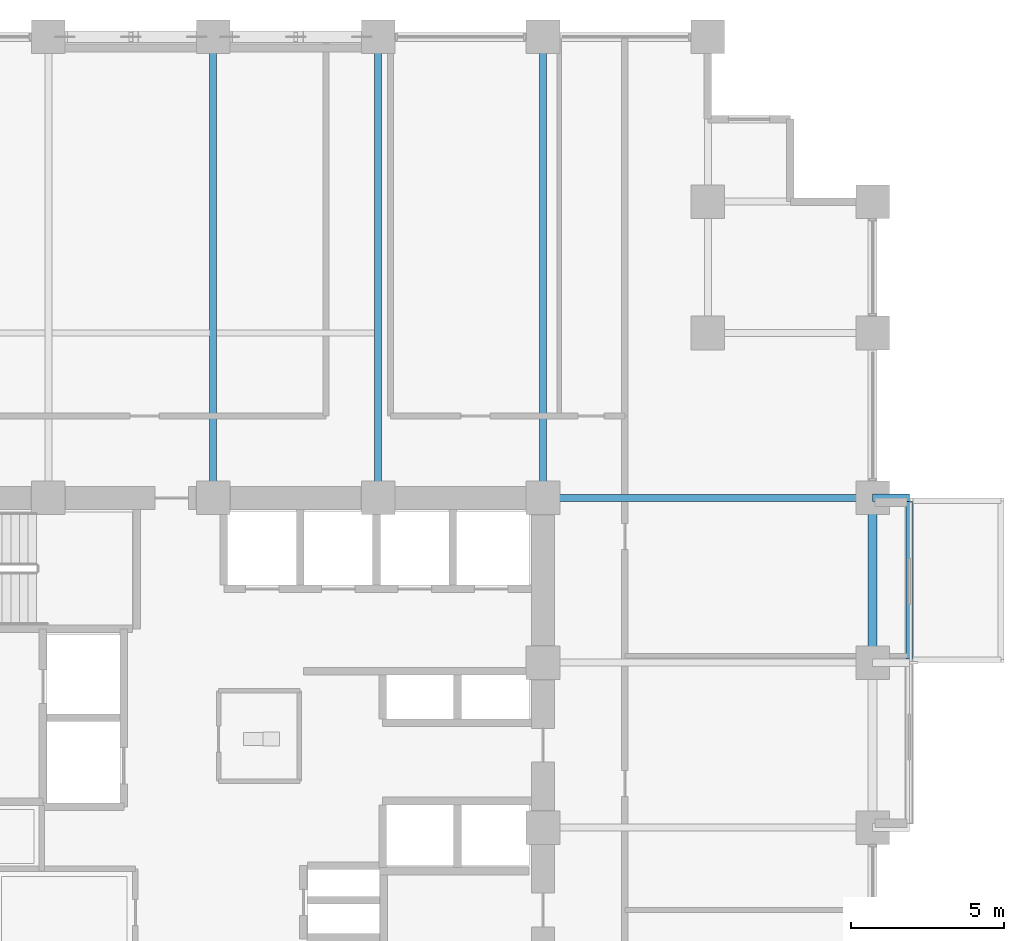
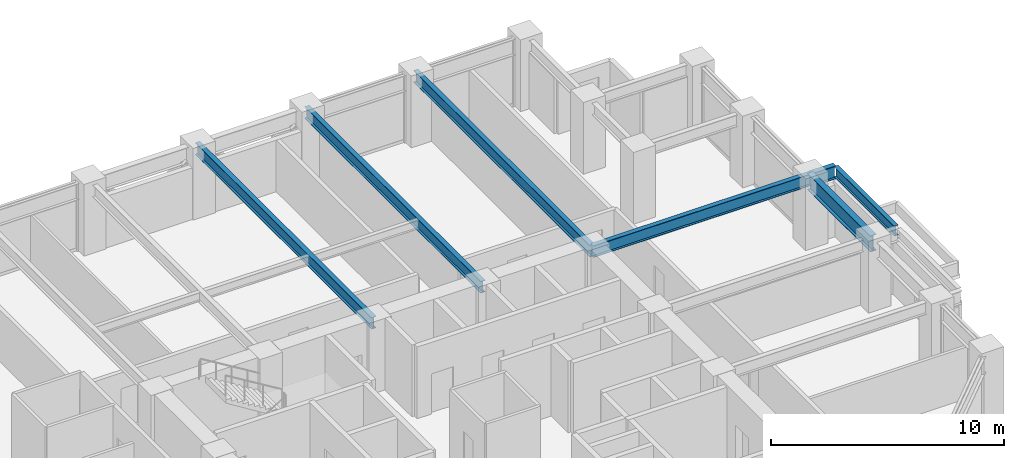
# One storey, part 13 of 25: 7 beams.
"""IFC4 building model written with IfcOpenShell, lengths in metres."""

from ifc_helpers import new_model, si_unit, direction, frame, origin, origin_2d, place, context, subcontext, project, spatial, i_section, extrude, material, material_profile, profile_set, type_object, element, save


model = new_model("IFC4")

# Units and contexts
model_context = context("Model", 3, precision=1e-05, world=origin(), true_north=direction((0.0, 1.0)))
body_context = subcontext(model_context, "Body", "Model", "MODEL_VIEW")
ifc_project = project(units=[si_unit("LENGTHUNIT", "METRE"), si_unit("AREAUNIT", "SQUARE_METRE"), si_unit("VOLUMEUNIT", "CUBIC_METRE"), si_unit("PLANEANGLEUNIT", "RADIAN"), si_unit("MASSUNIT", "GRAM", prefix="KILO")], contexts=[model_context])

# Site, building, storey
site_placement = place(None, origin())
site = spatial("IfcSite", under=ifc_project, at=site_placement, CompositionType="ELEMENT")
building_placement = place(site_placement, origin())
building = spatial("IfcBuilding", under=site, at=building_placement, Name="Surkhivell Harbour Commons", CompositionType="ELEMENT")
storey_placement = place(building_placement, frame((0.0, 0.0, 94.5)))
storey = spatial("IfcBuildingStorey", under=building, at=storey_placement, Name="L24", CompositionType="ELEMENT", Elevation=94.5)

# Beams
ifc_material_1 = material(Name="Steel S460", Category="steel")
ifc_material_profile_1 = material_profile(ifc_material_1, i_section(OverallWidth=0.256103515625, OverallDepth=0.693115234375, WebThickness=0.014404296875, FlangeThickness=0.023681640625, at=origin_2d()), Name="UB686x254x170")
ifc_profile_set_1 = profile_set([ifc_material_profile_1], Name="Steel S460")
beam_type_1 = type_object("IfcBeamType", Name="BM-CNT-686", PredefinedType="BEAM", material=ifc_profile_set_1)
beam_1_placement = place(storey_placement, frame((21.60009765625, 10.800048828125, 3.223388671875), z_axis=(1.0, 0.0, 0.0), x_axis=(0.0, 1.0, 0.0)))
element("IfcBeam", 1, at=beam_1_placement, inside=storey, type_object=beam_type_1, Name="L24 Box Cantilever Outrigger (21.6,10.8)", PredefinedType="BEAM", context=body_context, shape_type="SweptSolid", body=[
    extrude(i_section(OverallWidth=0.256103515625, OverallDepth=0.693115234375, WebThickness=0.014404296875, FlangeThickness=0.023681640625, at=origin_2d()), origin(), (0.0, 0.0, 1.0), 1.199951171875),
])
ifc_material_2 = material(Name="Steel S355", Category="steel")
ifc_material_profile_2 = material_profile(ifc_material_2, i_section(OverallWidth=0.2099609375, OverallDepth=0.537109375, WebThickness=0.0107421875, FlangeThickness=0.017333984375, at=origin_2d()), Name="UB533x210x101")
ifc_profile_set_2 = profile_set([ifc_material_profile_2], Name="Steel S355")
beam_type_2 = type_object("IfcBeamType", Name="BM-GRD-533B", PredefinedType="BEAM", material=ifc_profile_set_2)
beam_2_placement = place(storey_placement, frame((22.800048828125, 5.52197265625, 3.301513671875), z_axis=(0.0, 1.0, 0.0), x_axis=(-1.0, 0.0, 0.0)))
element("IfcBeam", 2, at=beam_2_placement, inside=storey, type_object=beam_type_2, Name="L24 Box Rim Spandrel (22.8,5.4)", PredefinedType="BEAM", context=body_context, shape_type="SweptSolid", body=[
    extrude(i_section(OverallWidth=0.2099609375, OverallDepth=0.537109375, WebThickness=0.0107421875, FlangeThickness=0.017333984375, at=origin_2d()), origin(), (0.0, 0.0, 1.0), 5.156005859375),
])
ifc_material_profile_3 = material_profile(ifc_material_2, i_section(OverallWidth=0.22998046875, OverallDepth=0.616943359375, WebThickness=0.01318359375, FlangeThickness=0.022216796875, at=origin_2d()), Name="UB610x229x140")
ifc_profile_set_3 = profile_set([ifc_material_profile_3], Name="Steel S355")
beam_type_3 = type_object("IfcBeamType", Name="BM-GRD-610B", PredefinedType="BEAM", material=ifc_profile_set_3)
for number, where, z_axis, x_axis, name in (
    (3, (0.0, 10.800048828125, 3.261474609375), (0.0, 1.0, 0.0), (-1.0, 0.0, 0.0), "L24 Floor Girder (0.0,10.8)"),
    (4, (5.39990234375, 10.800048828125, 3.261474609375), (0.0, 1.0, 0.0), (-1.0, 0.0, 0.0), "L24 Floor Girder (5.4,10.8)"),
    (5, (10.800048828125, 10.800048828125, 3.261474609375), (0.0, 1.0, 0.0), (-1.0, 0.0, 0.0), "L24 Floor Girder (10.8,10.8)"),
):
    element("IfcBeam", number, at=place(storey_placement, frame(where, z_axis=z_axis, x_axis=x_axis)), inside=storey, type_object=beam_type_3, Name=name, PredefinedType="BEAM", context=body_context, shape_type="SweptSolid", body=[
        extrude(i_section(OverallWidth=0.22998046875, OverallDepth=0.616943359375, WebThickness=0.01318359375, FlangeThickness=0.022216796875, at=origin_2d()), origin(), (0.0, 0.0, 1.0), 15.099853515625),
    ])
beam_3_placement = place(storey_placement, frame((10.800048828125, 10.800048828125, 3.261474609375), z_axis=(1.0, 0.0, 0.0), x_axis=(0.0, 1.0, 0.0)))
element("IfcBeam", 6, at=beam_3_placement, inside=storey, type_object=beam_type_3, Name="L24 Floor Girder (10.8,10.8)", PredefinedType="BEAM", context=body_context, shape_type="SweptSolid", body=[
    extrude(i_section(OverallWidth=0.22998046875, OverallDepth=0.616943359375, WebThickness=0.01318359375, FlangeThickness=0.022216796875, at=origin_2d()), origin(), (0.0, 0.0, 1.0), 10.800048828125),
])
ifc_material_profile_4 = material_profile(ifc_material_1, i_section(OverallWidth=0.2939453125, OverallDepth=0.85107421875, WebThickness=0.01611328125, FlangeThickness=0.02685546875, at=origin_2d()), Name="UB838x292x226")
ifc_profile_set_4 = profile_set([ifc_material_profile_4], Name="Steel S460")
beam_type_4 = type_object("IfcBeamType", Name="BM-SPN-838", PredefinedType="SPANDREL", material=ifc_profile_set_4)
beam_4_placement = place(storey_placement, frame((21.60009765625, 5.39990234375, 3.14453125), z_axis=(0.0, 1.0, 0.0), x_axis=(-1.0, 0.0, 0.0)))
element("IfcBeam", 7, at=beam_4_placement, inside=storey, type_object=beam_type_4, Name="L24 Tube Spandrel (21.6,5.4)", PredefinedType="SPANDREL", context=body_context, shape_type="SweptSolid", body=[
    extrude(i_section(OverallWidth=0.2939453125, OverallDepth=0.85107421875, WebThickness=0.01611328125, FlangeThickness=0.02685546875, at=origin_2d()), origin(), (0.0, 0.0, 1.0), 5.400146484375),
])

save(model, "model.ifc")
